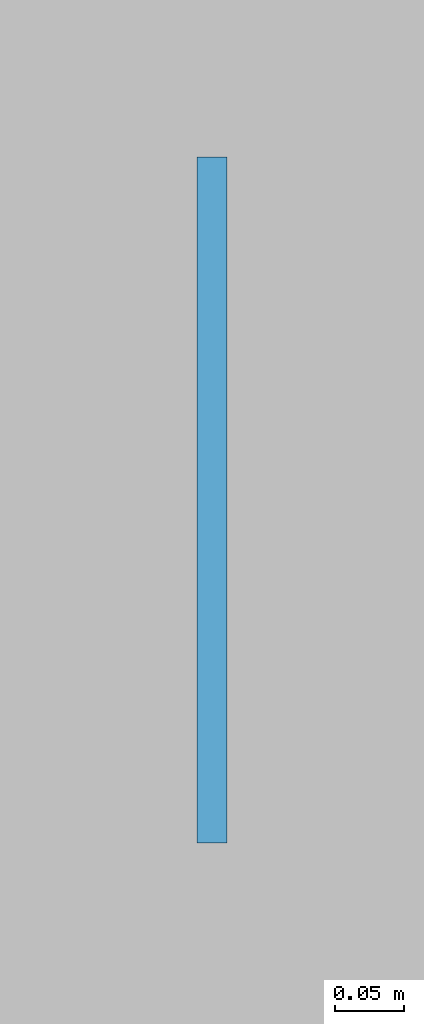
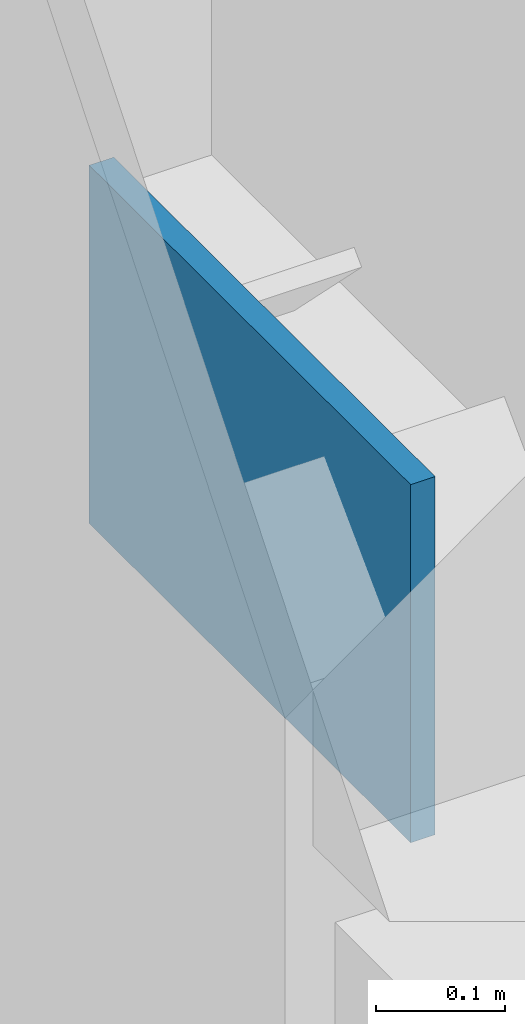
# One storey, part 81 of 122: 1 plate.
"""IFC4 building model written with IfcOpenShell, lengths in metres."""

from ifc_helpers import new_model, si_unit, direction, frame, origin, origin_2d, place, context, subcontext, project, spatial, rectangle, extrude, material, layer, layer_set, type_object, element, save


model = new_model("IFC4")

# Units and contexts
model_context = context("Model", 3, precision=1e-05, world=origin(), true_north=direction((0.0, 1.0)))
body_context = subcontext(model_context, "Body", "Model", "MODEL_VIEW")
ifc_project = project(units=[si_unit("LENGTHUNIT", "METRE"), si_unit("AREAUNIT", "SQUARE_METRE"), si_unit("VOLUMEUNIT", "CUBIC_METRE"), si_unit("PLANEANGLEUNIT", "RADIAN"), si_unit("MASSUNIT", "GRAM", prefix="KILO")], contexts=[model_context])

# Site, building, storey
site_placement = place(None, origin())
site = spatial("IfcSite", under=ifc_project, at=site_placement, CompositionType="ELEMENT")
building_placement = place(site_placement, origin())
building = spatial("IfcBuilding", under=site, at=building_placement, Name="Qasida Concert Hall", CompositionType="ELEMENT")
storey_placement = place(building_placement, origin())
storey = spatial("IfcBuildingStorey", under=building, at=storey_placement, Name="L00", CompositionType="ELEMENT", Elevation=0.0)

# Plate
ifc_material = material(Name="Steel S355J2", Category="steel")
ifc_layer = layer(ifc_material, 0.02197265625, Name="Steel S355J2")
ifc_layer_set = layer_set([ifc_layer], Name="Steel S355J2")
plate_type = type_object("IfcPlateType", Name="PLT-PL-EC5", PredefinedType="SHEET", material=ifc_layer_set)
plate_placement = place(storey_placement, frame((52.5, 71.25, 3.580078125), z_axis=(0.0, 0.0, 1.0), x_axis=(0.0, 1.0, 0.0)))
element("IfcPlate", 1, at=plate_placement, inside=storey, type_object=plate_type, Name="Chevron apex plate CBF-0071", PredefinedType="SHEET", context=body_context, shape_type="SweptSolid", body=[
    extrude(rectangle(XDim=0.5, YDim=0.02197265625, at=origin_2d()), origin(), (0.0, 0.0, 1.0), 0.340087890625),
])

save(model, "model.ifc")
